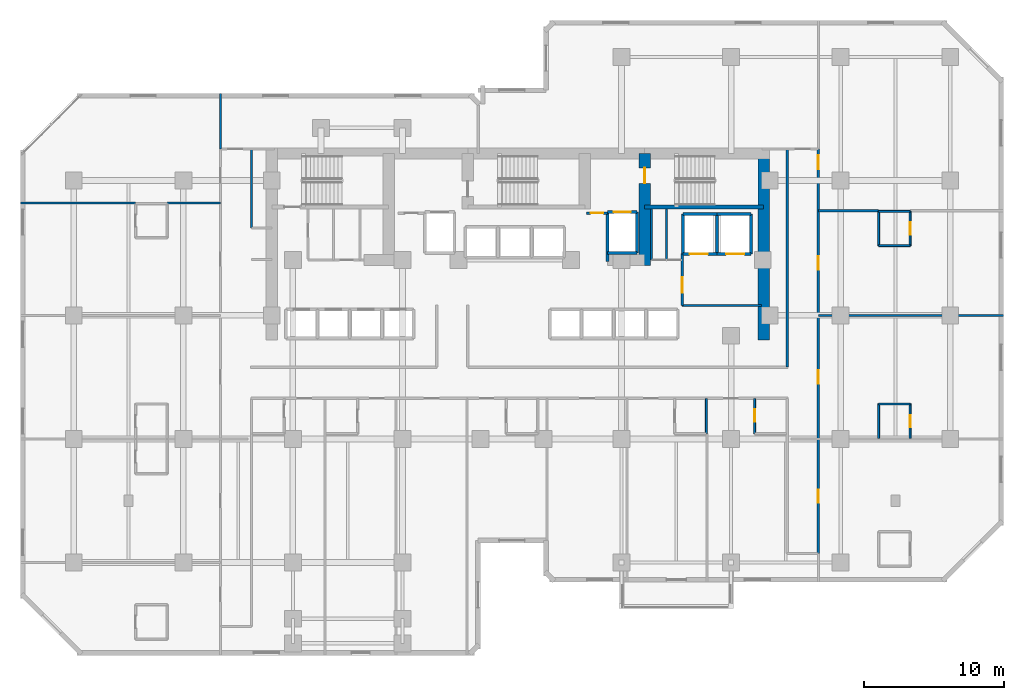
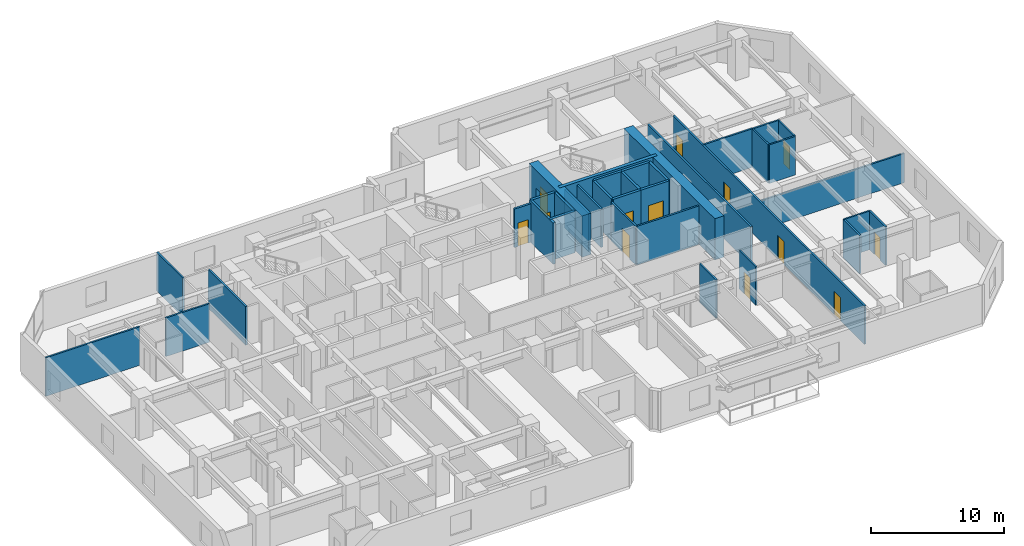
# One storey, part 8 of 12: 36 walls, 13 doors, 13 openings.
"""IFC4 building model written with IfcOpenShell, lengths in metres."""

from ifc_helpers import new_model, si_unit, direction, frame, frame_2d, origin, place, context, subcontext, project, spatial, rectangle, extrude, material, layer, layer_set, type_object, element, fill, save


model = new_model("IFC4")

# Units and contexts
model_context = context("Model", 3, precision=1e-05, world=origin(), true_north=direction((0.0, 1.0)))
body_context = subcontext(model_context, "Body", "Model", "MODEL_VIEW")
ifc_project = project(units=[si_unit("LENGTHUNIT", "METRE"), si_unit("AREAUNIT", "SQUARE_METRE"), si_unit("VOLUMEUNIT", "CUBIC_METRE"), si_unit("PLANEANGLEUNIT", "RADIAN"), si_unit("MASSUNIT", "GRAM", prefix="KILO")], contexts=[model_context])

# Site, building, storey
site_placement = place(None, origin())
site = spatial("IfcSite", under=ifc_project, at=site_placement, CompositionType="ELEMENT")
building_placement = place(site_placement, origin())
building = spatial("IfcBuilding", under=site, at=building_placement, Name="Kestravale Grand Hotel", CompositionType="ELEMENT")
storey_placement = place(building_placement, frame((0.0, 0.0, 122.199951171875)))
storey = spatial("IfcBuildingStorey", under=building, at=storey_placement, Name="L30", CompositionType="ELEMENT", Elevation=122.199951171875)

# Wall
ifc_material_1 = material(Name="Concrete f'c 60 MPa", Category="concrete")
ifc_layer_1 = layer(ifc_material_1, 0.800048828125)
ifc_layer_set_1 = layer_set([ifc_layer_1], Name="EW-CORE-800")
wall_type_1 = type_object("IfcWallType", Name="EW-CORE-800", PredefinedType="SHEAR", material=ifc_layer_set_1)
wall_1_placement = place(storey_placement, frame((56.919921875, 27.050048828125, 0.0), z_axis=(0.0, 0.0, 1.0), x_axis=(0.0, 1.0, 0.0)))
element("IfcWall", 1, at=wall_1_placement, inside=storey, type_object=wall_type_1, Name="L30 core shear wall E1", PredefinedType="SHEAR", context=body_context, shape_type="SweptSolid", body=[
    extrude(rectangle(XDim=13.669921875, YDim=0.800048828125, at=frame_2d((6.8349609375, 0.0))), origin(), (0.0, 0.0, 1.0), 3.800048828125),
])

# Wall, opening, door
wall_2_placement = place(storey_placement, frame((48.449951171875, 32.35009765625, 0.0), z_axis=(0.0, 0.0, 1.0), x_axis=(0.0, 1.0, 0.0)))
wall_2 = element("IfcWall", 2, at=wall_2_placement, inside=storey, type_object=wall_type_1, Name="L30 core shear wall X4", PredefinedType="SHEAR", context=body_context, shape_type="SweptSolid", body=[
    extrude(rectangle(XDim=7.969970703125, YDim=0.800048828125, at=frame_2d((3.98486328125, 0.0))), origin(), (0.0, 0.0, 1.0), 3.800048828125),
])
opening_1_placement = place(wall_2_placement, frame((5.85009765625, 0.0, 0.0)))
opening_1 = element("IfcOpeningElement", 3, at=opening_1_placement, cuts=wall_2, Name="Opening D-ST-1100", PredefinedType="OPENING", context=body_context, shape_type="SweptSolid", body=[
    extrude(rectangle(XDim=1.10009765625, YDim=2.14990234375, at=frame_2d((0.550048828125, 1.074951171875))), frame((0.0, 0.409912109375, 0.0), z_axis=(0.0, -1.0, 0.0), x_axis=(1.0, 0.0, 0.0)), (0.0, 0.0, 1.0), 0.820068359375),
])
ifc_material_2 = material(Name="Galvanised 90-minute fire-rated steel stair door", Category="steel")
door_type_1 = type_object("IfcDoorType", Name="D-ST-1100", OperationType="NOTDEFINED", PredefinedType="DOOR", material=ifc_material_2)
door_1_placement = place(opening_1_placement, origin())
door_1 = element("IfcDoor", 4, at=door_1_placement, inside=storey, type_object=door_type_1, Name="L30 Stair ST-3 FSAE fire door", OperationType="SINGLE_SWING_RIGHT", OverallHeight=2.14990234375, OverallWidth=1.10009765625, PredefinedType="DOOR", context=body_context, shape_type="SweptSolid", body=[
    extrude(rectangle(XDim=1.10009765625, YDim=2.14990234375, at=frame_2d((0.550048828125, 1.074951171875))), frame((0.0, 0.02490234375, 0.0), z_axis=(0.0, -1.0, 0.0), x_axis=(1.0, 0.0, 0.0)), (0.0, 0.0, 1.0), 0.050048828125),
])
fill(opening_1, door_1)

# Wall
ifc_material_3 = material(Name="Concrete f'c 45 MPa", Category="concrete")
ifc_layer_2 = layer(ifc_material_3, 0.300048828125)
ifc_layer_set_2 = layer_set([ifc_layer_2], Name="EW-STAIR-300")
wall_type_2 = type_object("IfcWallType", Name="EW-STAIR-300", PredefinedType="SHEAR", material=ifc_layer_set_2)
wall_3_placement = place(storey_placement, frame((48.449951171875, 36.52001953125, 0.0), z_axis=(0.0, 0.0, 1.0), x_axis=(1.0, 0.0, 0.0)))
element("IfcWall", 5, at=wall_3_placement, inside=storey, type_object=wall_type_2, Name="L30 stair enclosure shear wall SST3", PredefinedType="SHEAR", context=body_context, shape_type="SweptSolid", body=[
    extrude(rectangle(XDim=8.469970703125, YDim=0.300048828125, at=frame_2d((4.23486328125, 0.0))), origin(), (0.0, 0.0, 1.0), 3.800048828125),
])

# Wall, opening, door
ifc_material_4 = material(Name="Acoustic fire-rated gypsum board partition", Category="other")
ifc_layer_3 = layer(ifc_material_4, 0.159912109375)
ifc_layer_set_3 = layer_set([ifc_layer_3], Name="IW-CORR-160")
wall_type_3 = type_object("IfcWallType", Name="IW-CORR-160", PredefinedType="PARTITIONING", material=ifc_layer_set_3)
wall_4_placement = place(storey_placement, frame((51.1201171875, 29.5, 0.0), z_axis=(0.0, 0.0, 1.0), x_axis=(0.0, 1.0, 0.0)))
wall_4 = element("IfcWall", 6, at=wall_4_placement, inside=storey, type_object=wall_type_3, Name="W-L30-SVCLOB-W", PredefinedType="PARTITIONING", context=body_context, shape_type="SweptSolid", body=[
    extrude(rectangle(XDim=3.699951171875, YDim=0.159912109375, at=frame_2d((1.85009765625, 0.0))), origin(), (0.0, 0.0, 1.0), 3.5400390625),
])
opening_2_placement = place(wall_4_placement, frame((0.89990234375, 0.0, 0.0)))
opening_2 = element("IfcOpeningElement", 7, at=opening_2_placement, cuts=wall_4, Name="Opening D-CORR-1100", PredefinedType="OPENING", context=body_context, shape_type="SweptSolid", body=[
    extrude(rectangle(XDim=1.10009765625, YDim=2.14990234375, at=frame_2d((0.550048828125, 1.074951171875))), frame((0.0, 0.08984375, 0.0), z_axis=(0.0, -1.0, 0.0), x_axis=(1.0, 0.0, 0.0)), (0.0, 0.0, 1.0), 0.179931640625),
])
ifc_material_5 = material(Name="Single-leaf service vestibule fire door", Category="steel")
door_type_2 = type_object("IfcDoorType", Name="D-CORR-1100", OperationType="NOTDEFINED", PredefinedType="DOOR", material=ifc_material_5)
door_2_placement = place(opening_2_placement, origin())
door_2 = element("IfcDoor", 8, at=door_2_placement, inside=storey, type_object=door_type_2, Name="L30 service lift lobby door", OperationType="SINGLE_SWING_LEFT", OverallHeight=2.14990234375, OverallWidth=1.10009765625, PredefinedType="DOOR", context=body_context, shape_type="SweptSolid", body=[
    extrude(rectangle(XDim=1.10009765625, YDim=2.14990234375, at=frame_2d((0.550048828125, 1.074951171875))), frame((0.0, 0.02490234375, 0.0), z_axis=(0.0, -1.0, 0.0), x_axis=(1.0, 0.0, 0.0)), (0.0, 0.0, 1.0), 0.050048828125),
])
fill(opening_2, door_2)

# Walls
for number, where, z_axis, x_axis, name in (
    (9, (51.1201171875, 29.5, 0.0), (0.0, 0.0, 1.0), (1.0, 0.0, 0.0), "L30 service lift lobby wall"),
    (10, (20.4599609375, 35.02001953125, 0.0), (0.0, 0.0, 1.0), (0.0, 1.0, 0.0), "W-L30-SW-EN"),
):
    element("IfcWall", number, at=place(storey_placement, frame(where, z_axis=z_axis, x_axis=x_axis)), inside=storey, type_object=wall_type_3, Name=name, PredefinedType="PARTITIONING", context=body_context, shape_type="SweptSolid", body=[
        extrude(rectangle(XDim=5.6298828125, YDim=0.159912109375, at=frame_2d((2.81494140625, 0.0))), origin(), (0.0, 0.0, 1.0), 3.5400390625),
    ])

# Wall, openings, doors
wall_5_placement = place(storey_placement, frame((60.81005859375, 11.85009765625, 0.0), z_axis=(0.0, 0.0, 1.0), x_axis=(0.0, 1.0, 0.0)))
wall_5 = element("IfcWall", 11, at=wall_5_placement, inside=storey, type_object=wall_type_3, Name="W-L30-SE-E", PredefinedType="PARTITIONING", context=body_context, shape_type="SweptSolid", body=[
    extrude(rectangle(XDim=28.7998046875, YDim=0.159912109375, at=frame_2d((14.39990234375, 0.0))), origin(), (0.0, 0.0, 1.0), 3.5400390625),
])
opening_3_placement = place(wall_5_placement, frame((3.60009765625, 0.0, 0.0)))
opening_3 = element("IfcOpeningElement", 12, at=opening_3_placement, cuts=wall_5, Name="Opening D-GUEST-950", PredefinedType="OPENING", context=body_context, shape_type="SweptSolid", body=[
    extrude(rectangle(XDim=0.949951171875, YDim=2.10009765625, at=frame_2d((0.47509765625, 1.050048828125))), frame((0.0, 0.08984375, 0.0), z_axis=(0.0, -1.0, 0.0), x_axis=(1.0, 0.0, 0.0)), (0.0, 0.0, 1.0), 0.179931640625),
])
opening_4_placement = place(wall_5_placement, frame((12.074951171875, 0.0, 0.0)))
opening_4 = element("IfcOpeningElement", 13, at=opening_4_placement, cuts=wall_5, Name="Opening D-GUEST-950", PredefinedType="OPENING", context=body_context, shape_type="SweptSolid", body=[
    extrude(rectangle(XDim=0.949951171875, YDim=2.10009765625, at=frame_2d((0.47509765625, 1.050048828125))), frame((0.0, 0.08984375, 0.0), z_axis=(0.0, -1.0, 0.0), x_axis=(1.0, 0.0, 0.0)), (0.0, 0.0, 1.0), 0.179931640625),
])
opening_5_placement = place(wall_5_placement, frame((20.199951171875, 0.0, 0.0)))
opening_5 = element("IfcOpeningElement", 14, at=opening_5_placement, cuts=wall_5, Name="Opening D-GUEST-950", PredefinedType="OPENING", context=body_context, shape_type="SweptSolid", body=[
    extrude(rectangle(XDim=0.949951171875, YDim=2.10009765625, at=frame_2d((0.47509765625, 1.050048828125))), frame((0.0, 0.08984375, 0.0), z_axis=(0.0, -1.0, 0.0), x_axis=(1.0, 0.0, 0.0)), (0.0, 0.0, 1.0), 0.179931640625),
])
opening_6_placement = place(wall_5_placement, frame((27.360107421875, 0.0, 0.0)))
opening_6 = element("IfcOpeningElement", 15, at=opening_6_placement, cuts=wall_5, Name="Opening D-GUEST-1000", PredefinedType="OPENING", context=body_context, shape_type="SweptSolid", body=[
    extrude(rectangle(XDim=1.0, YDim=2.14990234375, at=frame_2d((0.5, 1.074951171875))), frame((0.0, 0.08984375, 0.0), z_axis=(0.0, -1.0, 0.0), x_axis=(1.0, 0.0, 0.0)), (0.0, 0.0, 1.0), 0.179931640625),
])
ifc_material_6 = material(Name="Accessible walnut veneer hotel entrance fire door", Category="wood")
door_type_3 = type_object("IfcDoorType", Name="D-GUEST-1000", OperationType="NOTDEFINED", PredefinedType="DOOR", material=ifc_material_6)
door_3_placement = place(opening_6_placement, origin())
door_3 = element("IfcDoor", 16, at=door_3_placement, inside=storey, type_object=door_type_3, Name="D-L30-AMEW", OperationType="SINGLE_SWING_RIGHT", OverallHeight=2.14990234375, OverallWidth=1.0, PredefinedType="DOOR", context=body_context, shape_type="SweptSolid", body=[
    extrude(rectangle(XDim=1.0, YDim=2.14990234375, at=frame_2d((0.5, 1.074951171875))), frame((0.0, 0.02490234375, 0.0), z_axis=(0.0, -1.0, 0.0), x_axis=(1.0, 0.0, 0.0)), (0.0, 0.0, 1.0), 0.050048828125),
])
fill(opening_6, door_3)
ifc_material_7 = material(Name="Walnut veneer hotel guestroom entrance fire door", Category="wood")
door_type_4 = type_object("IfcDoorType", Name="D-GUEST-950", OperationType="NOTDEFINED", PredefinedType="DOOR", material=ifc_material_7)
door_4_placement = place(opening_3_placement, origin())
door_4 = element("IfcDoor", 17, at=door_4_placement, inside=storey, type_object=door_type_4, Name="D-L30-U10-ENT", OperationType="SINGLE_SWING_LEFT", OverallHeight=2.10009765625, OverallWidth=0.949951171875, PredefinedType="DOOR", context=body_context, shape_type="SweptSolid", body=[
    extrude(rectangle(XDim=0.949951171875, YDim=2.10009765625, at=frame_2d((0.47509765625, 1.050048828125))), frame((0.0, 0.02490234375, 0.0), z_axis=(0.0, -1.0, 0.0), x_axis=(1.0, 0.0, 0.0)), (0.0, 0.0, 1.0), 0.050048828125),
])
fill(opening_3, door_4)
door_5_placement = place(opening_4_placement, origin())
door_5 = element("IfcDoor", 18, at=door_5_placement, inside=storey, type_object=door_type_4, Name="D-L30-U11-ENT", OperationType="SINGLE_SWING_LEFT", OverallHeight=2.10009765625, OverallWidth=0.949951171875, PredefinedType="DOOR", context=body_context, shape_type="SweptSolid", body=[
    extrude(rectangle(XDim=0.949951171875, YDim=2.10009765625, at=frame_2d((0.47509765625, 1.050048828125))), frame((0.0, 0.02490234375, 0.0), z_axis=(0.0, -1.0, 0.0), x_axis=(1.0, 0.0, 0.0)), (0.0, 0.0, 1.0), 0.050048828125),
])
fill(opening_4, door_5)
door_6_placement = place(opening_5_placement, origin())
door_6 = element("IfcDoor", 19, at=door_6_placement, inside=storey, type_object=door_type_4, Name="D-L30-U12-ENT", OperationType="SINGLE_SWING_LEFT", OverallHeight=2.10009765625, OverallWidth=0.949951171875, PredefinedType="DOOR", context=body_context, shape_type="SweptSolid", body=[
    extrude(rectangle(XDim=0.949951171875, YDim=2.10009765625, at=frame_2d((0.47509765625, 1.050048828125))), frame((0.0, 0.02490234375, 0.0), z_axis=(0.0, -1.0, 0.0), x_axis=(1.0, 0.0, 0.0)), (0.0, 0.0, 1.0), 0.050048828125),
])
fill(opening_5, door_6)

# Wall
wall_6_placement = place(storey_placement, frame((58.590087890625, 25.110107421875, 0.0), z_axis=(0.0, 0.0, 1.0), x_axis=(0.0, 1.0, 0.0)))
element("IfcWall", 20, at=wall_6_placement, inside=storey, type_object=wall_type_3, Name="W-L30-SE-WU", PredefinedType="PARTITIONING", context=body_context, shape_type="SweptSolid", body=[
    extrude(rectangle(XDim=15.539794921875, YDim=0.159912109375, at=frame_2d((7.77001953125, 0.0))), origin(), (0.0, 0.0, 1.0), 3.5400390625),
])

# Wall, opening, door
ifc_material_8 = material(Name="Fire-rated gypsum board on steel studs with mineral wool", Category="steel")
ifc_layer_4 = layer(ifc_material_8, 0.179931640625)
ifc_layer_set_4 = layer_set([ifc_layer_4], Name="IW-FSAE-180")
wall_type_4 = type_object("IfcWallType", Name="IW-FSAE-180", PredefinedType="PARTITIONING", material=ifc_layer_set_4)
wall_7_placement = place(storey_placement, frame((44.300048828125, 36.080078125, 0.0), z_axis=(0.0, 0.0, 1.0), x_axis=(1.0, 0.0, 0.0)))
wall_7 = element("IfcWall", 21, at=wall_7_placement, inside=storey, type_object=wall_type_4, Name="L30 FSAE Lobby 2 smoke barrier", PredefinedType="PARTITIONING", context=body_context, shape_type="SweptSolid", body=[
    extrude(rectangle(XDim=1.5, YDim=0.179931640625, at=frame_2d((0.75, 0.0))), origin(), (0.0, 0.0, 1.0), 3.5400390625),
])
opening_7_placement = place(wall_7_placement, frame((0.300048828125, 0.0, 0.0)))
opening_7 = element("IfcOpeningElement", 22, at=opening_7_placement, cuts=wall_7, Name="Opening D-FSAE-1000", PredefinedType="OPENING", context=body_context, shape_type="SweptSolid", body=[
    extrude(rectangle(XDim=0.89990234375, YDim=2.14990234375, at=frame_2d((0.449951171875, 1.074951171875))), frame((0.0, 0.099853515625, 0.0), z_axis=(0.0, -1.0, 0.0), x_axis=(1.0, 0.0, 0.0)), (0.0, 0.0, 1.0), 0.199951171875),
])
ifc_material_9 = material(Name="Smoke-gasketed FSAE lobby fire door", Category="steel")
door_type_5 = type_object("IfcDoorType", Name="D-FSAE-1000", OperationType="NOTDEFINED", PredefinedType="DOOR", material=ifc_material_9)
door_7_placement = place(opening_7_placement, origin())
door_7 = element("IfcDoor", 23, at=door_7_placement, inside=storey, type_object=door_type_5, Name="L30 FSAE Lobby 2 fire door", OperationType="SINGLE_SWING_LEFT", OverallHeight=2.14990234375, OverallWidth=0.89990234375, PredefinedType="DOOR", context=body_context, shape_type="SweptSolid", body=[
    extrude(rectangle(XDim=0.89990234375, YDim=2.14990234375, at=frame_2d((0.449951171875, 1.074951171875))), frame((0.0, 0.02490234375, 0.0), z_axis=(0.0, -1.0, 0.0), x_axis=(1.0, 0.0, 0.0)), (0.0, 0.0, 1.0), 0.050048828125),
])
fill(opening_7, door_7)

# Wall
ifc_material_10 = material(Name="Moisture-resistant tile-backer plumbing chase wall", Category="other")
ifc_layer_5 = layer(ifc_material_10, 0.139892578125)
ifc_layer_set_5 = layer_set([ifc_layer_5], Name="IW-PLB-140")
wall_type_5 = type_object("IfcWallType", Name="IW-PLB-140", PredefinedType="PLUMBINGWALL", material=ifc_layer_set_5)
wall_8_placement = place(storey_placement, frame((52.83251953125, 20.3798828125, 0.0), z_axis=(0.0, 0.0, 1.0), x_axis=(0.0, 1.0, 0.0)))
element("IfcWall", 24, at=wall_8_placement, inside=storey, type_object=wall_type_5, Name="W-L30-U04-BE", PredefinedType="PLUMBINGWALL", context=body_context, shape_type="SweptSolid", body=[
    extrude(rectangle(XDim=2.490234375, YDim=0.139892578125, at=frame_2d((1.2451171875, 0.0))), origin(), (0.0, 0.0, 1.0), 3.5400390625),
])

# Wall, opening, door
wall_9_placement = place(storey_placement, frame((56.280029296875, 20.3798828125, 0.0), z_axis=(0.0, 0.0, 1.0), x_axis=(0.0, 1.0, 0.0)))
wall_9 = element("IfcWall", 25, at=wall_9_placement, inside=storey, type_object=wall_type_5, Name="W-L30-U05-BW", PredefinedType="PLUMBINGWALL", context=body_context, shape_type="SweptSolid", body=[
    extrude(rectangle(XDim=2.490234375, YDim=0.139892578125, at=frame_2d((1.2451171875, 0.0))), origin(), (0.0, 0.0, 1.0), 3.5400390625),
])
opening_8_placement = place(wall_9_placement, frame((0.8505859375, 0.0, 0.0)))
opening_8 = element("IfcOpeningElement", 26, at=opening_8_placement, cuts=wall_9, Name="Opening D-BATH-880", PredefinedType="OPENING", context=body_context, shape_type="SweptSolid", body=[
    extrude(rectangle(XDim=0.8798828125, YDim=2.050048828125, at=frame_2d((0.43994140625, 1.02490234375))), frame((0.0, 0.079833984375, 0.0), z_axis=(0.0, -1.0, 0.0), x_axis=(1.0, 0.0, 0.0)), (0.0, 0.0, 1.0), 0.159912109375),
])
ifc_material_11 = material(Name="Moisture-sealed walnut en-suite bathroom door", Category="wood")
door_type_6 = type_object("IfcDoorType", Name="D-BATH-880", OperationType="NOTDEFINED", PredefinedType="DOOR", material=ifc_material_11)
door_8_placement = place(opening_8_placement, origin())
door_8 = element("IfcDoor", 27, at=door_8_placement, inside=storey, type_object=door_type_6, Name="D-L30-U05-BATH", OperationType="SINGLE_SWING_LEFT", OverallHeight=2.050048828125, OverallWidth=0.8798828125, PredefinedType="DOOR", context=body_context, shape_type="SweptSolid", body=[
    extrude(rectangle(XDim=0.8798828125, YDim=2.050048828125, at=frame_2d((0.43994140625, 1.02490234375))), frame((0.0, 0.02490234375, 0.0), z_axis=(0.0, -1.0, 0.0), x_axis=(1.0, 0.0, 0.0)), (0.0, 0.0, 1.0), 0.050048828125),
])
fill(opening_8, door_8)

# Wall
wall_10_placement = place(storey_placement, frame((65.10009765625, 20.0400390625, 0.0), z_axis=(0.0, 0.0, 1.0), x_axis=(0.0, 1.0, 0.0)))
element("IfcWall", 28, at=wall_10_placement, inside=storey, type_object=wall_type_5, Name="W-L30-U11-BW", PredefinedType="PLUMBINGWALL", context=body_context, shape_type="SweptSolid", body=[
    extrude(rectangle(XDim=2.449951171875, YDim=0.139892578125, at=frame_2d((1.22509765625, 0.0))), origin(), (0.0, 0.0, 1.0), 3.5400390625),
])

# Wall, opening, door
wall_11_placement = place(storey_placement, frame((67.35009765625, 20.0400390625, 0.0), z_axis=(0.0, 0.0, 1.0), x_axis=(0.0, 1.0, 0.0)))
wall_11 = element("IfcWall", 29, at=wall_11_placement, inside=storey, type_object=wall_type_5, Name="W-L30-U11-BE", PredefinedType="PLUMBINGWALL", context=body_context, shape_type="SweptSolid", body=[
    extrude(rectangle(XDim=2.449951171875, YDim=0.139892578125, at=frame_2d((1.22509765625, 0.0))), origin(), (0.0, 0.0, 1.0), 3.5400390625),
])
opening_9_placement = place(wall_11_placement, frame((0.784912109375, 0.0, 0.0)))
opening_9 = element("IfcOpeningElement", 30, at=opening_9_placement, cuts=wall_11, Name="Opening D-BATH-880", PredefinedType="OPENING", context=body_context, shape_type="SweptSolid", body=[
    extrude(rectangle(XDim=0.8798828125, YDim=2.050048828125, at=frame_2d((0.43994140625, 1.02490234375))), frame((0.0, 0.079833984375, 0.0), z_axis=(0.0, -1.0, 0.0), x_axis=(1.0, 0.0, 0.0)), (0.0, 0.0, 1.0), 0.159912109375),
])
door_9_placement = place(opening_9_placement, origin())
door_9 = element("IfcDoor", 31, at=door_9_placement, inside=storey, type_object=door_type_6, Name="D-L30-U11-BATH", OperationType="SINGLE_SWING_RIGHT", OverallHeight=2.050048828125, OverallWidth=0.8798828125, PredefinedType="DOOR", context=body_context, shape_type="SweptSolid", body=[
    extrude(rectangle(XDim=0.8798828125, YDim=2.050048828125, at=frame_2d((0.43994140625, 1.02490234375))), frame((0.0, 0.02490234375, 0.0), z_axis=(0.0, -1.0, 0.0), x_axis=(1.0, 0.0, 0.0)), (0.0, 0.0, 1.0), 0.050048828125),
])
fill(opening_9, door_9)

# Walls
wall_12_placement = place(storey_placement, frame((65.10009765625, 22.489990234375, 0.0), z_axis=(0.0, 0.0, 1.0), x_axis=(1.0, 0.0, 0.0)))
element("IfcWall", 32, at=wall_12_placement, inside=storey, type_object=wall_type_5, Name="W-L30-U11-BN", PredefinedType="PLUMBINGWALL", context=body_context, shape_type="SweptSolid", body=[
    extrude(rectangle(XDim=2.25, YDim=0.139892578125, at=frame_2d((1.125, 0.0))), origin(), (0.0, 0.0, 1.0), 3.5400390625),
])
wall_13_placement = place(storey_placement, frame((65.10009765625, 33.760009765625, 0.0), z_axis=(0.0, 0.0, 1.0), x_axis=(0.0, 1.0, 0.0)))
element("IfcWall", 33, at=wall_13_placement, inside=storey, type_object=wall_type_5, Name="W-L30-U12-BW", PredefinedType="PLUMBINGWALL", context=body_context, shape_type="SweptSolid", body=[
    extrude(rectangle(XDim=2.449951171875, YDim=0.139892578125, at=frame_2d((1.22509765625, 0.0))), origin(), (0.0, 0.0, 1.0), 3.5400390625),
])

# Wall, opening, door
wall_14_placement = place(storey_placement, frame((67.35009765625, 33.760009765625, 0.0), z_axis=(0.0, 0.0, 1.0), x_axis=(0.0, 1.0, 0.0)))
wall_14 = element("IfcWall", 34, at=wall_14_placement, inside=storey, type_object=wall_type_5, Name="W-L30-U12-BE", PredefinedType="PLUMBINGWALL", context=body_context, shape_type="SweptSolid", body=[
    extrude(rectangle(XDim=2.449951171875, YDim=0.139892578125, at=frame_2d((1.22509765625, 0.0))), origin(), (0.0, 0.0, 1.0), 3.5400390625),
])
opening_10_placement = place(wall_14_placement, frame((0.784912109375, 0.0, 0.0)))
opening_10 = element("IfcOpeningElement", 35, at=opening_10_placement, cuts=wall_14, Name="Opening D-BATH-880", PredefinedType="OPENING", context=body_context, shape_type="SweptSolid", body=[
    extrude(rectangle(XDim=0.8798828125, YDim=2.050048828125, at=frame_2d((0.43994140625, 1.02490234375))), frame((0.0, 0.079833984375, 0.0), z_axis=(0.0, -1.0, 0.0), x_axis=(1.0, 0.0, 0.0)), (0.0, 0.0, 1.0), 0.159912109375),
])
door_10_placement = place(opening_10_placement, origin())
door_10 = element("IfcDoor", 36, at=door_10_placement, inside=storey, type_object=door_type_6, Name="D-L30-U12-BATH", OperationType="SINGLE_SWING_RIGHT", OverallHeight=2.050048828125, OverallWidth=0.8798828125, PredefinedType="DOOR", context=body_context, shape_type="SweptSolid", body=[
    extrude(rectangle(XDim=0.8798828125, YDim=2.050048828125, at=frame_2d((0.43994140625, 1.02490234375))), frame((0.0, 0.02490234375, 0.0), z_axis=(0.0, -1.0, 0.0), x_axis=(1.0, 0.0, 0.0)), (0.0, 0.0, 1.0), 0.050048828125),
])
fill(opening_10, door_10)

# Walls
for number, where, z_axis, x_axis, name in (
    (37, (65.10009765625, 33.760009765625, 0.0), (0.0, 0.0, 1.0), (1.0, 0.0, 0.0), "W-L30-U12-BS"),
    (38, (65.10009765625, 36.2099609375, 0.0), (0.0, 0.0, 1.0), (1.0, 0.0, 0.0), "W-L30-U12-BN"),
):
    element("IfcWall", number, at=place(storey_placement, frame(where, z_axis=z_axis, x_axis=x_axis)), inside=storey, type_object=wall_type_5, Name=name, PredefinedType="PLUMBINGWALL", context=body_context, shape_type="SweptSolid", body=[
        extrude(rectangle(XDim=2.25, YDim=0.139892578125, at=frame_2d((1.125, 0.0))), origin(), (0.0, 0.0, 1.0), 3.5400390625),
    ])
ifc_material_12 = material(Name="Concrete f'c 45 MPa", Category="concrete")
ifc_layer_6 = layer(ifc_material_12, 0.199951171875)
ifc_layer_set_6 = layer_set([ifc_layer_6], Name="IW-SHAFT-200")
wall_type_6 = type_object("IfcWallType", Name="IW-SHAFT-200", PredefinedType="SHEAR", material=ifc_layer_set_6)
for number, where, z_axis, x_axis, name in (
    (39, (51.179931640625, 33.169921875, 0.0), (0.0, 0.0, 1.0), (0.0, 1.0, 0.0), "L30 SL-1 west shaft wall"),
    (40, (53.60009765625, 33.169921875, 0.0), (0.0, 0.0, 1.0), (0.0, 1.0, 0.0), "L30 SL-2 west shaft wall"),
    (41, (56.02001953125, 33.169921875, 0.0), (0.0, 0.0, 1.0), (0.0, 1.0, 0.0), "L30 SL-2 east shaft wall"),
):
    element("IfcWall", number, at=place(storey_placement, frame(where, z_axis=z_axis, x_axis=x_axis)), inside=storey, type_object=wall_type_6, Name=name, PredefinedType="SHEAR", context=body_context, shape_type="SweptSolid", body=[
        extrude(rectangle(XDim=2.860107421875, YDim=0.199951171875, at=frame_2d((1.43017578125, 0.0))), origin(), (0.0, 0.0, 1.0), 3.800048828125),
    ])
wall_15_placement = place(storey_placement, frame((45.804931640625, 32.64990234375, 0.0), z_axis=(0.0, 0.0, 1.0), x_axis=(0.0, 1.0, 0.0)))
element("IfcWall", 42, at=wall_15_placement, inside=storey, type_object=wall_type_6, Name="L30 FL-2 west shaft wall", PredefinedType="SHEAR", context=body_context, shape_type="SweptSolid", body=[
    extrude(rectangle(XDim=3.505126953125, YDim=0.199951171875, at=frame_2d((1.75244140625, 0.0))), origin(), (0.0, 0.0, 1.0), 3.800048828125),
])
wall_16_placement = place(storey_placement, frame((47.89501953125, 33.2451171875, 0.0), z_axis=(0.0, 0.0, 1.0), x_axis=(0.0, 1.0, 0.0)))
element("IfcWall", 43, at=wall_16_placement, inside=storey, type_object=wall_type_6, Name="L30 FL-2 east shaft wall", PredefinedType="SHEAR", context=body_context, shape_type="SweptSolid", body=[
    extrude(rectangle(XDim=2.909912109375, YDim=0.199951171875, at=frame_2d((1.455078125, 0.0))), origin(), (0.0, 0.0, 1.0), 3.800048828125),
])
ifc_material_13 = material(Name="Concrete f'c 45 MPa", Category="concrete")
ifc_layer_7 = layer(ifc_material_13, 0.219970703125)
ifc_layer_set_7 = layer_set([ifc_layer_7], Name="IW-SHAFT-220")
wall_type_7 = type_object("IfcWallType", Name="IW-SHAFT-220", PredefinedType="SHEAR", material=ifc_layer_set_7)
wall_17_placement = place(storey_placement, frame((51.179931640625, 36.030029296875, 0.0), z_axis=(0.0, 0.0, 1.0), x_axis=(1.0, 0.0, 0.0)))
element("IfcWall", 44, at=wall_17_placement, inside=storey, type_object=wall_type_7, Name="L30 SL-1 north shaft wall", PredefinedType="SHEAR", context=body_context, shape_type="SweptSolid", body=[
    extrude(rectangle(XDim=2.420166015625, YDim=0.219970703125, at=frame_2d((1.2099609375, 0.0))), origin(), (0.0, 0.0, 1.0), 3.800048828125),
])

# Wall, opening, door
wall_18_placement = place(storey_placement, frame((51.179931640625, 33.169921875, 0.0), z_axis=(0.0, 0.0, 1.0), x_axis=(1.0, 0.0, 0.0)))
wall_18 = element("IfcWall", 45, at=wall_18_placement, inside=storey, type_object=wall_type_7, Name="L30 SL-1 south shaft wall", PredefinedType="SHEAR", context=body_context, shape_type="SweptSolid", body=[
    extrude(rectangle(XDim=2.420166015625, YDim=0.219970703125, at=frame_2d((1.2099609375, 0.0))), origin(), (0.0, 0.0, 1.0), 3.800048828125),
])
opening_11_placement = place(wall_18_placement, frame((0.469970703125, 0.0, 0.0)))
opening_11 = element("IfcOpeningElement", 46, at=opening_11_placement, cuts=wall_18, Name="Opening LD-SVC-1300", PredefinedType="OPENING", context=body_context, shape_type="SweptSolid", body=[
    extrude(rectangle(XDim=1.300048828125, YDim=2.14990234375, at=frame_2d((0.64990234375, 1.074951171875))), frame((0.0, 0.119873046875, 0.0), z_axis=(0.0, -1.0, 0.0), x_axis=(1.0, 0.0, 0.0)), (0.0, 0.0, 1.0), 0.239990234375),
])
ifc_material_14 = material(Name="Heavy-duty service sliding elevator landing door", Category="steel")
door_type_7 = type_object("IfcDoorType", Name="LD-SVC-1300", OperationType="NOTDEFINED", PredefinedType="DOOR", material=ifc_material_14)
door_11_placement = place(opening_11_placement, origin())
door_11 = element("IfcDoor", 47, at=door_11_placement, inside=storey, type_object=door_type_7, Name="L30 SL-1 elevator landing sliding door", OperationType="DOUBLE_DOOR_SLIDING", OverallHeight=2.14990234375, OverallWidth=1.300048828125, PredefinedType="DOOR", context=body_context, shape_type="SweptSolid", body=[
    extrude(rectangle(XDim=1.300048828125, YDim=2.14990234375, at=frame_2d((0.64990234375, 1.074951171875))), frame((0.0, 0.02490234375, 0.0), z_axis=(0.0, -1.0, 0.0), x_axis=(1.0, 0.0, 0.0)), (0.0, 0.0, 1.0), 0.050048828125),
])
fill(opening_11, door_11)

# Wall
wall_19_placement = place(storey_placement, frame((53.60009765625, 36.030029296875, 0.0), z_axis=(0.0, 0.0, 1.0), x_axis=(1.0, 0.0, 0.0)))
element("IfcWall", 48, at=wall_19_placement, inside=storey, type_object=wall_type_7, Name="L30 SL-2 north shaft wall", PredefinedType="SHEAR", context=body_context, shape_type="SweptSolid", body=[
    extrude(rectangle(XDim=2.419921875, YDim=0.219970703125, at=frame_2d((1.2099609375, 0.0))), origin(), (0.0, 0.0, 1.0), 3.800048828125),
])

# Wall, opening, door
wall_20_placement = place(storey_placement, frame((53.60009765625, 33.169921875, 0.0), z_axis=(0.0, 0.0, 1.0), x_axis=(1.0, 0.0, 0.0)))
wall_20 = element("IfcWall", 49, at=wall_20_placement, inside=storey, type_object=wall_type_7, Name="L30 SL-2 south shaft wall", PredefinedType="SHEAR", context=body_context, shape_type="SweptSolid", body=[
    extrude(rectangle(XDim=2.419921875, YDim=0.219970703125, at=frame_2d((1.2099609375, 0.0))), origin(), (0.0, 0.0, 1.0), 3.800048828125),
])
opening_12_placement = place(wall_20_placement, frame((0.64990234375, 0.0, 0.0)))
opening_12 = element("IfcOpeningElement", 50, at=opening_12_placement, cuts=wall_20, Name="Opening LD-SVC-1300", PredefinedType="OPENING", context=body_context, shape_type="SweptSolid", body=[
    extrude(rectangle(XDim=1.300048828125, YDim=2.14990234375, at=frame_2d((0.64990234375, 1.074951171875))), frame((0.0, 0.119873046875, 0.0), z_axis=(0.0, -1.0, 0.0), x_axis=(1.0, 0.0, 0.0)), (0.0, 0.0, 1.0), 0.239990234375),
])
door_12_placement = place(opening_12_placement, origin())
door_12 = element("IfcDoor", 51, at=door_12_placement, inside=storey, type_object=door_type_7, Name="L30 SL-2 elevator landing sliding door", OperationType="DOUBLE_DOOR_SLIDING", OverallHeight=2.14990234375, OverallWidth=1.300048828125, PredefinedType="DOOR", context=body_context, shape_type="SweptSolid", body=[
    extrude(rectangle(XDim=1.300048828125, YDim=2.14990234375, at=frame_2d((0.64990234375, 1.074951171875))), frame((0.0, 0.02490234375, 0.0), z_axis=(0.0, -1.0, 0.0), x_axis=(1.0, 0.0, 0.0)), (0.0, 0.0, 1.0), 0.050048828125),
])
fill(opening_12, door_12)

wall_21_placement = place(storey_placement, frame((45.804931640625, 36.155029296875, 0.0), z_axis=(0.0, 0.0, 1.0), x_axis=(1.0, 0.0, 0.0)))
wall_21 = element("IfcWall", 52, at=wall_21_placement, inside=storey, type_object=wall_type_7, Name="L30 FL-2 north shaft wall", PredefinedType="SHEAR", context=body_context, shape_type="SweptSolid", body=[
    extrude(rectangle(XDim=2.090087890625, YDim=0.219970703125, at=frame_2d((1.044921875, 0.0))), origin(), (0.0, 0.0, 1.0), 3.800048828125),
])
opening_13_placement = place(wall_21_placement, frame((0.445068359375, 0.0, 0.0)))
opening_13 = element("IfcOpeningElement", 53, at=opening_13_placement, cuts=wall_21, Name="Opening LD-FSAE-1200", PredefinedType="OPENING", context=body_context, shape_type="SweptSolid", body=[
    extrude(rectangle(XDim=1.199951171875, YDim=2.14990234375, at=frame_2d((0.60009765625, 1.074951171875))), frame((0.0, 0.119873046875, 0.0), z_axis=(0.0, -1.0, 0.0), x_axis=(1.0, 0.0, 0.0)), (0.0, 0.0, 1.0), 0.239990234375),
])
ifc_material_15 = material(Name="Stainless fire-service sliding elevator landing door", Category="steel")
door_type_8 = type_object("IfcDoorType", Name="LD-FSAE-1200", OperationType="NOTDEFINED", PredefinedType="DOOR", material=ifc_material_15)
door_13_placement = place(opening_13_placement, origin())
door_13 = element("IfcDoor", 54, at=door_13_placement, inside=storey, type_object=door_type_8, Name="L30 FL-2 elevator landing sliding door", OperationType="DOUBLE_DOOR_SLIDING", OverallHeight=2.14990234375, OverallWidth=1.199951171875, PredefinedType="DOOR", context=body_context, shape_type="SweptSolid", body=[
    extrude(rectangle(XDim=1.199951171875, YDim=2.14990234375, at=frame_2d((0.60009765625, 1.074951171875))), frame((0.0, 0.02490234375, 0.0), z_axis=(0.0, -1.0, 0.0), x_axis=(1.0, 0.0, 0.0)), (0.0, 0.0, 1.0), 0.050048828125),
])
fill(opening_13, door_13)

# Walls
wall_22_placement = place(storey_placement, frame((45.804931640625, 33.2451171875, 0.0), z_axis=(0.0, 0.0, 1.0), x_axis=(1.0, 0.0, 0.0)))
element("IfcWall", 55, at=wall_22_placement, inside=storey, type_object=wall_type_7, Name="L30 FL-2 south shaft wall", PredefinedType="SHEAR", context=body_context, shape_type="SweptSolid", body=[
    extrude(rectangle(XDim=2.090087890625, YDim=0.219970703125, at=frame_2d((1.044921875, 0.0))), origin(), (0.0, 0.0, 1.0), 3.800048828125),
])
ifc_material_16 = material(Name="Double-stud STC 52 acoustic demising partition", Category="other")
ifc_layer_8 = layer(ifc_material_16, 0.14990234375)
ifc_layer_set_8 = layer_set([ifc_layer_8], Name="IW-UNIT-150")
wall_type_8 = type_object("IfcWallType", Name="IW-UNIT-150", PredefinedType="PARTITIONING", material=ifc_layer_set_8)
for number, where, z_axis, x_axis, name in (
    (56, (48.919921875, 32.75, 0.0), (0.0, 0.0, 1.0), (0.0, 1.0, 0.0), "W-L30-CEW"),
    (57, (50.010009765625, 32.75, 0.0), (0.0, 0.0, 1.0), (0.0, 1.0, 0.0), "W-L30-CC1-EM"),
):
    element("IfcWall", number, at=place(storey_placement, frame(where, z_axis=z_axis, x_axis=x_axis)), inside=storey, type_object=wall_type_8, Name=name, PredefinedType="PARTITIONING", context=body_context, shape_type="SweptSolid", body=[
        extrude(rectangle(XDim=3.6201171875, YDim=0.14990234375, at=frame_2d((1.81005859375, 0.0))), origin(), (0.0, 0.0, 1.0), 3.5400390625),
    ])
wall_23_placement = place(storey_placement, frame((18.239990234375, 40.64990234375, 0.0), z_axis=(0.0, 0.0, 1.0), x_axis=(0.0, 1.0, 0.0)))
element("IfcWall", 58, at=wall_23_placement, inside=storey, type_object=wall_type_8, Name="W-L30-NGW-W", PredefinedType="PARTITIONING", context=body_context, shape_type="SweptSolid", body=[
    extrude(rectangle(XDim=3.93017578125, YDim=0.14990234375, at=frame_2d((1.965087890625, 0.0))), origin(), (0.0, 0.0, 1.0), 3.5400390625),
])
wall_24_placement = place(storey_placement, frame((4.02001953125, 36.800048828125, 0.0), z_axis=(0.0, 0.0, 1.0), x_axis=(1.0, 0.0, 0.0)))
element("IfcWall", 59, at=wall_24_placement, inside=storey, type_object=wall_type_8, Name="W-L30-WW-3", PredefinedType="PARTITIONING", context=body_context, shape_type="SweptSolid", body=[
    extrude(rectangle(XDim=8.179931640625, YDim=0.14990234375, at=frame_2d((4.08984375, 0.0))), origin(), (0.0, 0.0, 1.0), 3.5400390625),
])
wall_25_placement = place(storey_placement, frame((14.449951171875, 36.800048828125, 0.0), z_axis=(0.0, 0.0, 1.0), x_axis=(1.0, 0.0, 0.0)))
element("IfcWall", 60, at=wall_25_placement, inside=storey, type_object=wall_type_8, Name="W-L30-WW-3", PredefinedType="PARTITIONING", context=body_context, shape_type="SweptSolid", body=[
    extrude(rectangle(XDim=3.7900390625, YDim=0.14990234375, at=frame_2d((1.89501953125, 0.0))), origin(), (0.0, 0.0, 1.0), 3.5400390625),
])
wall_26_placement = place(storey_placement, frame((60.81005859375, 28.800048828125, 0.0), z_axis=(0.0, 0.0, 1.0), x_axis=(1.0, 0.0, 0.0)))
element("IfcWall", 61, at=wall_26_placement, inside=storey, type_object=wall_type_8, Name="W-L30-EW-1", PredefinedType="PARTITIONING", context=body_context, shape_type="SweptSolid", body=[
    extrude(rectangle(XDim=13.169921875, YDim=0.14990234375, at=frame_2d((6.5849609375, 0.0))), origin(), (0.0, 0.0, 1.0), 2.678955078125),
])
wall_27_placement = place(storey_placement, frame((60.81005859375, 36.25, 0.0), z_axis=(0.0, 0.0, 1.0), x_axis=(1.0, 0.0, 0.0)))
element("IfcWall", 62, at=wall_27_placement, inside=storey, type_object=wall_type_8, Name="W-L30-EW-2", PredefinedType="PARTITIONING", context=body_context, shape_type="SweptSolid", body=[
    extrude(rectangle(XDim=4.2900390625, YDim=0.14990234375, at=frame_2d((2.14501953125, 0.0))), origin(), (0.0, 0.0, 1.0), 3.5400390625),
])

save(model, "model.ifc")
